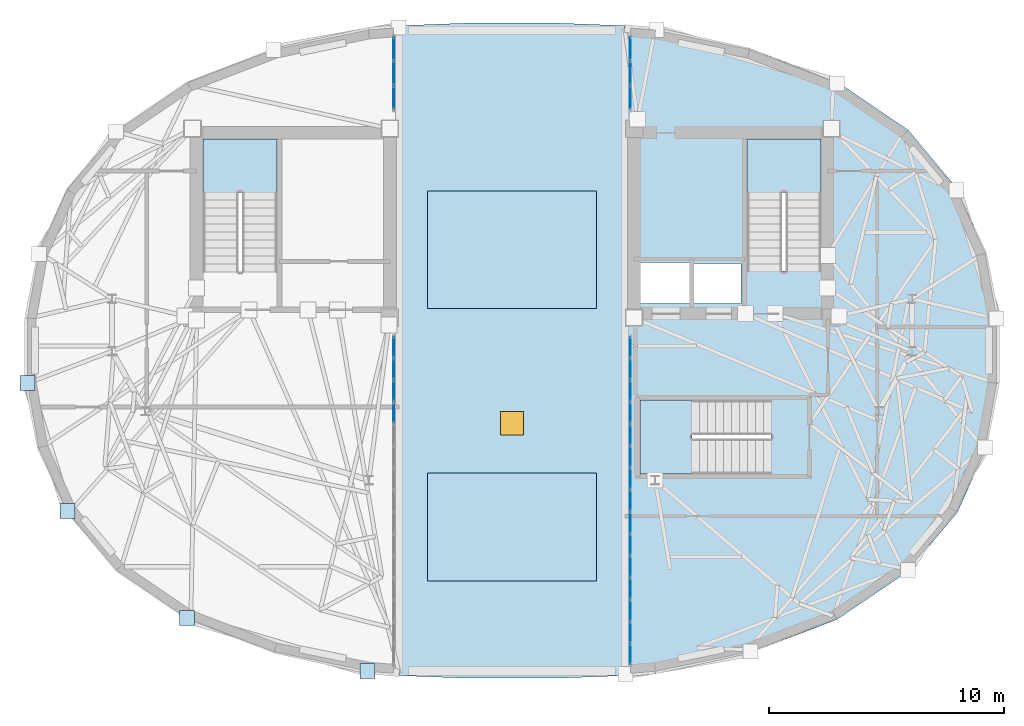
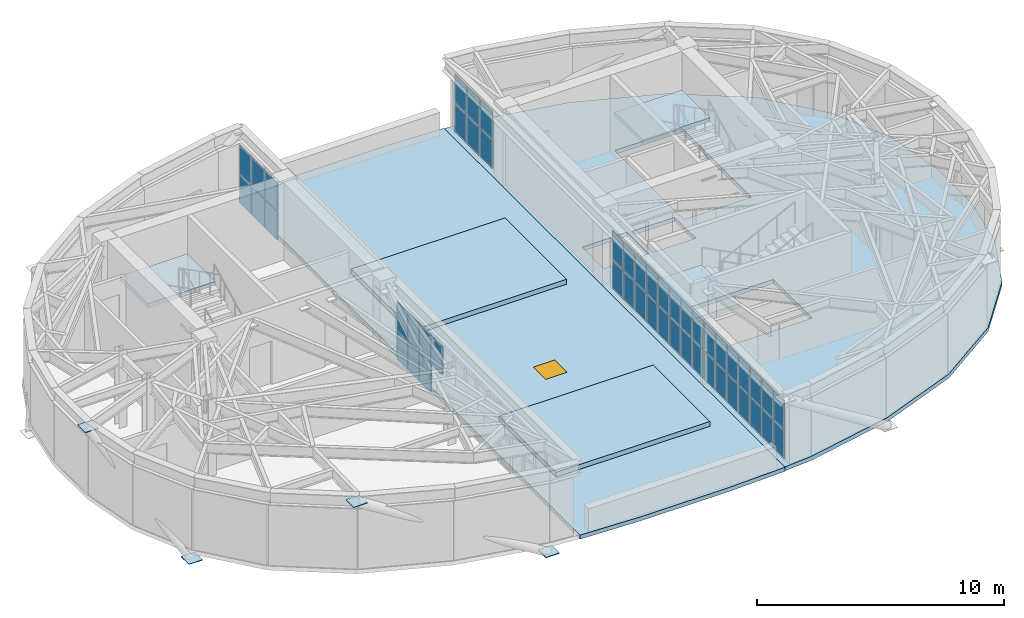
"""IFC4 building model written with IfcOpenShell, lengths in metres."""

from ifc_helpers import new_model, si_unit, direction, frame, origin, origin_2d, place, context, subcontext, project, spatial, polyline, rectangle, outline, extrude, material, layer, layer_set, type_object, element, fill, aggregate, save


model = new_model("IFC4")

# Units and contexts
model_context = context("Model", 3, precision=1e-05, world=origin(), true_north=direction((0.0, 1.0)))
body_context = subcontext(model_context, "Body", "Model", "MODEL_VIEW")
ifc_project = project(units=[si_unit("LENGTHUNIT", "METRE"), si_unit("AREAUNIT", "SQUARE_METRE"), si_unit("VOLUMEUNIT", "CUBIC_METRE"), si_unit("PLANEANGLEUNIT", "RADIAN"), si_unit("MASSUNIT", "GRAM", prefix="KILO")], contexts=[model_context])

# Site, building, storey
site_placement = place(None, origin())
site = spatial("IfcSite", under=ifc_project, at=site_placement, CompositionType="ELEMENT")
building_placement = place(site_placement, origin())
building = spatial("IfcBuilding", under=site, at=building_placement, Name="Keldmark Tower", CompositionType="ELEMENT")
storey_1_placement = place(building_placement, frame((0.0, 0.0, 269.199951171875)))
storey_1 = spatial("IfcBuildingStorey", under=building, at=storey_1_placement, Name="L76", CompositionType="ELEMENT", Elevation=269.199951171875)

# Plates
ifc_material_1 = material(Name="Steel ASTM A572 Grade 50", Category="steel")
ifc_layer_1 = layer(ifc_material_1, 0.030029296875)
ifc_layer_set_1 = layer_set([ifc_layer_1], Name="Steel ASTM A572 Grade 50")
plate_type_1 = type_object("IfcPlateType", Name="Crown Frame End Cap Plate CP01 30 mm", PredefinedType="SHEET", material=ifc_layer_set_1)
for number, where, z_axis, x_axis, name in (
    (1, (-6.154296875, -13.644775390625, -0.46484375), (0.0, 0.0, 1.0), (1.0, 0.0, 0.0), "L76 Crown Frame Node Cap W00-0"),
    (2, (-13.841796875, -11.381591796875, 3.3349609375), (0.0, 0.0, 1.0), (1.0, 0.0, 0.0), "L76 Crown Frame Node Cap W00-1"),
    (3, (-18.927490234375, -6.82763671875, -0.46484375), (0.0, 0.0, 1.0), (1.0, 0.0, 0.0), "L76 Crown Frame Node Cap W04-0"),
    (4, (-20.623291015625, -1.369873046875, 3.3349609375), (0.0, 0.0, 1.0), (1.0, 0.0, 0.0), "L76 Crown Frame Node Cap W04-1"),
):
    element("IfcPlate", number, at=place(storey_1_placement, frame(where, z_axis=z_axis, x_axis=x_axis)), inside=storey_1, type_object=plate_type_1, Name=name, PredefinedType="SHEET", context=body_context, shape_type="SweptSolid", body=[
        extrude(rectangle(XDim=0.639892578125, YDim=0.639892578125, at=origin_2d()), origin(), (0.0, 0.0, 1.0), 0.030029296875),
    ])

# Slab, opening
ifc_material_2 = material(Name="Concrete C35/45", Category="concrete")
ifc_layer_2 = layer(ifc_material_2, 0.199951171875)
ifc_layer_set_2 = layer_set([ifc_layer_2], Name="Concrete C35/45")
slab_type_1 = type_object("IfcSlabType", Name="Crown Structural Roof Cap Slab 200 mm", PredefinedType="ROOF", material=ifc_layer_set_2)
slab_1_placement = place(storey_1_placement, frame((0.0, 0.0, -0.199951171875)))
slab_1 = element("IfcSlab", 5, at=slab_1_placement, inside=storey_1, type_object=slab_type_1, Name="L76 Crown Sky-Slot Structural Roof Cap", PredefinedType="ROOF", context=body_context, shape_type="SweptSolid", body=[
    extrude(outline(polyline([(-2.025146484375, 13.93896484375), (2.025146484375, 13.93896484375), (4.800048828125, 13.831787109375), (4.800048828125, -13.831787109375), (2.025146484375, -13.93896484375), (-2.025146484375, -13.93896484375), (-4.800048828125, -13.831787109375), (-4.800048828125, 13.831787109375), (-2.025146484375, 13.93896484375)])), origin(), (0.0, 0.0, 1.0), 0.199951171875),
])
opening_placement = place(slab_1_placement, frame((0.0, -3.10009765625, 0.0)))
opening = element("IfcOpeningElement", 6, at=opening_placement, cuts=slab_1, Name="Opening RH-01", PredefinedType="OPENING", context=body_context, shape_type="SweptSolid", body=[
    extrude(rectangle(XDim=1.0, YDim=1.0, at=origin_2d()), origin(), (0.0, 0.0, 1.0), 0.199951171875),
])

# Storey
storey_2_placement = place(building_placement, frame((0.0, 0.0, 264.800048828125)))
storey_2 = spatial("IfcBuildingStorey", under=building, at=storey_2_placement, Name="L75", CompositionType="ELEMENT", Elevation=264.800048828125)

# Door
ifc_material_3 = material(Name="Galvanized Insulated Metal", Category="metal")
door_type = type_object("IfcDoorType", Name="Insulated Roof Maintenance Hatch 1000x1000", OperationType="SWING_FIXED_LEFT", PredefinedType="TRAPDOOR", material=ifc_material_3)
door_placement = place(opening_placement, frame((0.0, 0.0, 0.14990234375)))
door = element("IfcDoor", 7, at=door_placement, inside=storey_2, type_object=door_type, Name="L75 Crown Sky-Slot Roof Maintenance Hatch", OperationType="SINGLE_SWING_LEFT", OverallHeight=1.0, OverallWidth=1.0, PredefinedType="TRAPDOOR", context=body_context, shape_type="SweptSolid", body=[
    extrude(rectangle(XDim=1.0, YDim=1.0, at=origin_2d()), origin(), (0.0, 0.0, 1.0), 0.050048828125),
])

fill(opening, door)

# Slabs
ifc_material_4 = material(Name="Concrete C35/45", Category="concrete")
ifc_layer_3 = layer(ifc_material_4, 0.199951171875)
ifc_layer_set_3 = layer_set([ifc_layer_3], Name="Concrete C35/45")
slab_type_2 = type_object("IfcSlabType", Name="Low-Rise Office Composite Slab 200 mm", PredefinedType="FLOOR", material=ifc_layer_set_3)
slab_2_placement = place(storey_1_placement, frame((0.0, 0.0, -0.199951171875)))
element("IfcSlab", 8, at=slab_2_placement, inside=storey_1, type_object=slab_type_2, Name="L76 East Crown Plant Floor Slab", PredefinedType="FLOOR", context=body_context, shape_type="SweptSolid", body=[
    extrude(outline(polyline([(6.12451171875, 13.69677734375), (10.135986328125, 12.864501953125), (13.841064453125, 11.44140625), (16.865478515625, 9.389892578125), (18.962890625, 6.876220703125), (20.189697265625, 4.15478515625), (20.68212890625, 1.3818359375), (20.68212890625, -1.3818359375), (20.189697265625, -4.15478515625), (18.962890625, -6.876220703125), (16.865478515625, -9.389892578125), (13.841064453125, -11.44140625), (10.135986328125, -12.864501953125), (6.12451171875, -13.69677734375), (4.800048828125, -13.804931640625), (4.800048828125, 13.804931640625), (6.12451171875, 13.69677734375)]), holes=[polyline([(13.14990234375, 3.385009765625), (13.14990234375, 9.0), (10.0, 9.0), (10.0, 3.385009765625), (13.14990234375, 3.385009765625)]), polyline([(11.014892578125, -2.10009765625), (5.43994140625, -2.10009765625), (5.43994140625, -5.25), (11.014892578125, -5.25), (11.014892578125, -2.10009765625)]), polyline([(7.75, 2.0), (9.75, 2.0), (9.75, 3.699951171875), (7.75, 3.699951171875), (7.75, 2.0)]), polyline([(5.449951171875, 2.0), (7.550048828125, 2.0), (7.550048828125, 3.75), (5.449951171875, 3.75), (5.449951171875, 2.0)])]), origin(), (0.0, 0.0, 1.0), 0.199951171875),
])
ifc_material_5 = material(Name="Concrete C35/45", Category="concrete")
ifc_layer_4 = layer(ifc_material_5, 0.239990234375)
ifc_layer_set_4 = layer_set([ifc_layer_4], Name="Concrete C35/45")
slab_type_3 = type_object("IfcSlabType", Name="Mechanical Diaphragm Slab 240 mm", PredefinedType="FLOOR", material=ifc_layer_set_4)
slab_3_placement = place(storey_1_placement, origin())
element("IfcSlab", 9, at=slab_3_placement, inside=storey_1, type_object=slab_type_3, Name="L76 Crown Chiller and Dry-Cooler Plant Plinth 1", PredefinedType="FLOOR", context=body_context, shape_type="SweptSolid", body=[
    extrude(outline(polyline([(-3.60009765625, -9.800048828125), (3.60009765625, -9.800048828125), (3.60009765625, -5.199951171875), (-3.60009765625, -5.199951171875), (-3.60009765625, -9.800048828125)])), origin(), (0.0, 0.0, 1.0), 0.239990234375),
])
slab_4_placement = place(storey_1_placement, origin())
element("IfcSlab", 10, at=slab_4_placement, inside=storey_1, type_object=slab_type_3, Name="L76 Crown Chiller and Dry-Cooler Plant Plinth 2", PredefinedType="FLOOR", context=body_context, shape_type="SweptSolid", body=[
    extrude(outline(polyline([(-3.60009765625, 1.800048828125), (3.60009765625, 1.800048828125), (3.60009765625, 6.800048828125), (-3.60009765625, 6.800048828125), (-3.60009765625, 1.800048828125)])), origin(), (0.0, 0.0, 1.0), 0.239990234375),
])

# Stair, slab
ifc_material_6 = material(Name="Concrete C40/50", Category="concrete")
stair_type = type_object("IfcStairType", Name="Precast Concrete Core Exit Stair", PredefinedType="HALF_TURN_STAIR", material=ifc_material_6)
stair_1_placement = place(storey_1_placement, origin())
stair_1 = element("IfcStair", 11, at=stair_1_placement, inside=storey_1, type_object=stair_type, Name="L76 Exit Stair ST1", PredefinedType="HALF_TURN_STAIR")
ifc_material_7 = material(Name="Concrete C40/50", Category="concrete")
ifc_layer_5 = layer(ifc_material_7, 0.199951171875)
ifc_layer_set_5 = layer_set([ifc_layer_5], Name="Concrete C40/50")
slab_type_4 = type_object("IfcSlabType", Name="Reinforced Concrete Stair Landing 200 mm", PredefinedType="LANDING", material=ifc_layer_set_5)
slab_5_placement = place(storey_1_placement, frame((0.0, 0.0, 1.699951171875)))
slab_5 = element("IfcSlab", 12, at=slab_5_placement, type_object=slab_type_4, Name="ST1 landing 1", PredefinedType="LANDING", context=body_context, shape_type="SweptSolid", body=[
    extrude(outline(polyline([(-10.0, 6.72998046875), (-10.0, 9.0), (-13.14990234375, 9.0), (-13.14990234375, 6.72998046875), (-10.0, 6.72998046875)])), origin(), (0.0, 0.0, 1.0), 0.2001953125),
])
aggregate(stair_1, [slab_5])

stair_2_placement = place(storey_1_placement, origin())
stair_2 = element("IfcStair", 13, at=stair_2_placement, inside=storey_1, type_object=stair_type, Name="L76 Exit Stair ST2", PredefinedType="HALF_TURN_STAIR")
slab_6_placement = place(storey_1_placement, frame((0.0, 0.0, 1.699951171875)))
slab_6 = element("IfcSlab", 14, at=slab_6_placement, type_object=slab_type_4, Name="ST2 landing 1", PredefinedType="LANDING", context=body_context, shape_type="SweptSolid", body=[
    extrude(outline(polyline([(13.14990234375, 6.72998046875), (13.14990234375, 9.0), (10.0, 9.0), (10.0, 6.72998046875), (13.14990234375, 6.72998046875)])), origin(), (0.0, 0.0, 1.0), 0.2001953125),
])
aggregate(stair_2, [slab_6])

stair_3_placement = place(storey_1_placement, origin())
stair_3 = element("IfcStair", 15, at=stair_3_placement, inside=storey_1, type_object=stair_type, Name="L76 East Crown Exit Stair ST4", PredefinedType="HALF_TURN_STAIR")
slab_7_placement = place(storey_1_placement, frame((0.0, 0.0, 1.699951171875)))
slab_7 = element("IfcSlab", 16, at=slab_7_placement, type_object=slab_type_4, Name="ST4 landing 1", PredefinedType="LANDING", context=body_context, shape_type="SweptSolid", body=[
    extrude(outline(polyline([(7.669921875, -2.10009765625), (5.43994140625, -2.10009765625), (5.43994140625, -5.25), (7.669921875, -5.25), (7.669921875, -2.10009765625)])), origin(), (0.0, 0.0, 1.0), 0.2001953125),
])
aggregate(stair_3, [slab_7])

# Curtain wall, plates
ifc_material_8 = material(Name="Unitized Thermally Broken Aluminum and Triple Low-E Glazing", Category="aluminium")
ifc_layer_6 = layer(ifc_material_8, 0.219970703125)
ifc_layer_set_6 = layer_set([ifc_layer_6], Name="Unitized Thermally Broken Aluminum and Triple Low-E Glazing")
curtain_wall_type = type_object("IfcCurtainWallType", Name="Split-Top Crown Lantern Curtain Wall System", PredefinedType="NOTDEFINED", material=ifc_layer_set_6)
curtain_wall_1_placement = place(storey_1_placement, origin())
curtain_wall_1 = element("IfcCurtainWall", 17, at=curtain_wall_1_placement, inside=storey_1, type_object=curtain_wall_type, Name="L76 Split-Top Crown Lantern Curtain Wall System CW-L76-ES14-0", PredefinedType="NOTDEFINED")
ifc_material_9 = material(Name="Triple Silver Low-E Insulated Glass Unit", Category="glass")
ifc_layer_7 = layer(ifc_material_9, 0.035888671875)
ifc_layer_set_7 = layer_set([ifc_layer_7], Name="Triple Silver Low-E Insulated Glass Unit")
plate_type_2 = type_object("IfcPlateType", Name="Triple Low-E Vision Glazing Panel 36 mm", PredefinedType="CURTAIN_PANEL", material=ifc_layer_set_7)
plate_1_placement = place(storey_1_placement, frame((5.0400390625, 12.8603515625, 0.06005859375), z_axis=(0.0, 0.0, 1.0), x_axis=(0.0, -1.0, 0.0)))
plate_1 = element("IfcPlate", 18, at=plate_1_placement, type_object=plate_type_2, Name="CW panel 1.1", PredefinedType="CURTAIN_PANEL", context=body_context, shape_type="SweptSolid", body=[
    extrude(rectangle(XDim=0.96875, YDim=0.035888671875, at=origin_2d()), origin(), (0.0, 0.0, 1.0), 1.39306640625),
])
plate_2_placement = place(storey_1_placement, frame((5.0400390625, 12.8603515625, 1.512939453125), z_axis=(0.0, 0.0, 1.0), x_axis=(0.0, -1.0, 0.0)))
plate_2 = element("IfcPlate", 19, at=plate_2_placement, type_object=plate_type_2, Name="CW panel 1.2", PredefinedType="CURTAIN_PANEL", context=body_context, shape_type="SweptSolid", body=[
    extrude(rectangle(XDim=0.96875, YDim=0.035888671875, at=origin_2d()), origin(), (0.0, 0.0, 1.0), 1.39306640625),
])
plate_3_placement = place(storey_1_placement, frame((5.0400390625, 11.816650390625, 0.06005859375), z_axis=(0.0, 0.0, 1.0), x_axis=(0.0, -1.0, 0.0)))
plate_3 = element("IfcPlate", 20, at=plate_3_placement, type_object=plate_type_2, Name="CW panel 2.1", PredefinedType="CURTAIN_PANEL", context=body_context, shape_type="SweptSolid", body=[
    extrude(rectangle(XDim=0.998779296875, YDim=0.035888671875, at=origin_2d()), origin(), (0.0, 0.0, 1.0), 1.39306640625),
])
plate_4_placement = place(storey_1_placement, frame((5.0400390625, 11.816650390625, 1.512939453125), z_axis=(0.0, 0.0, 1.0), x_axis=(0.0, -1.0, 0.0)))
plate_4 = element("IfcPlate", 21, at=plate_4_placement, type_object=plate_type_2, Name="CW panel 2.2", PredefinedType="CURTAIN_PANEL", context=body_context, shape_type="SweptSolid", body=[
    extrude(rectangle(XDim=0.998779296875, YDim=0.035888671875, at=origin_2d()), origin(), (0.0, 0.0, 1.0), 1.39306640625),
])
plate_5_placement = place(storey_1_placement, frame((5.0400390625, 10.77294921875, 0.06005859375), z_axis=(0.0, 0.0, 1.0), x_axis=(0.0, -1.0, 0.0)))
plate_5 = element("IfcPlate", 22, at=plate_5_placement, type_object=plate_type_2, Name="CW panel 3.1", PredefinedType="CURTAIN_PANEL", context=body_context, shape_type="SweptSolid", body=[
    extrude(rectangle(XDim=0.96875, YDim=0.035888671875, at=origin_2d()), origin(), (0.0, 0.0, 1.0), 1.39306640625),
])
plate_6_placement = place(storey_1_placement, frame((5.0400390625, 10.77294921875, 1.512939453125), z_axis=(0.0, 0.0, 1.0), x_axis=(0.0, -1.0, 0.0)))
plate_6 = element("IfcPlate", 23, at=plate_6_placement, type_object=plate_type_2, Name="CW panel 3.2", PredefinedType="CURTAIN_PANEL", context=body_context, shape_type="SweptSolid", body=[
    extrude(rectangle(XDim=0.96875, YDim=0.035888671875, at=origin_2d()), origin(), (0.0, 0.0, 1.0), 1.39306640625),
])
aggregate(curtain_wall_1, [plate_1, plate_2, plate_3, plate_4, plate_5, plate_6])

curtain_wall_2_placement = place(storey_1_placement, origin())
curtain_wall_2 = element("IfcCurtainWall", 24, at=curtain_wall_2_placement, inside=storey_1, type_object=curtain_wall_type, Name="L76 Split-Top Crown Lantern Curtain Wall System CW-L76-ES14-1", PredefinedType="NOTDEFINED")
plate_7_placement = place(storey_1_placement, frame((5.0400390625, 0.138916015625, 0.06005859375), z_axis=(0.0, 0.0, 1.0), x_axis=(0.0, -1.0, 0.0)))
plate_7 = element("IfcPlate", 25, at=plate_7_placement, type_object=plate_type_2, Name="CW panel 1.1", PredefinedType="CURTAIN_PANEL", context=body_context, shape_type="SweptSolid", body=[
    extrude(rectangle(XDim=0.844970703125, YDim=0.035888671875, at=origin_2d()), origin(), (0.0, 0.0, 1.0), 1.39306640625),
])
plate_8_placement = place(storey_1_placement, frame((5.0400390625, 0.138916015625, 1.512939453125), z_axis=(0.0, 0.0, 1.0), x_axis=(0.0, -1.0, 0.0)))
plate_8 = element("IfcPlate", 26, at=plate_8_placement, type_object=plate_type_2, Name="CW panel 1.2", PredefinedType="CURTAIN_PANEL", context=body_context, shape_type="SweptSolid", body=[
    extrude(rectangle(XDim=0.844970703125, YDim=0.035888671875, at=origin_2d()), origin(), (0.0, 0.0, 1.0), 1.39306640625),
])
plate_9_placement = place(storey_1_placement, frame((5.0400390625, -0.781005859375, 0.06005859375), z_axis=(0.0, 0.0, 1.0), x_axis=(0.0, -1.0, 0.0)))
plate_9 = element("IfcPlate", 27, at=plate_9_placement, type_object=plate_type_2, Name="CW panel 2.1", PredefinedType="CURTAIN_PANEL", context=body_context, shape_type="SweptSolid", body=[
    extrude(rectangle(XDim=0.875, YDim=0.035888671875, at=origin_2d()), origin(), (0.0, 0.0, 1.0), 1.39306640625),
])
plate_10_placement = place(storey_1_placement, frame((5.0400390625, -0.781005859375, 1.512939453125), z_axis=(0.0, 0.0, 1.0), x_axis=(0.0, -1.0, 0.0)))
plate_10 = element("IfcPlate", 28, at=plate_10_placement, type_object=plate_type_2, Name="CW panel 2.2", PredefinedType="CURTAIN_PANEL", context=body_context, shape_type="SweptSolid", body=[
    extrude(rectangle(XDim=0.875, YDim=0.035888671875, at=origin_2d()), origin(), (0.0, 0.0, 1.0), 1.39306640625),
])
plate_11_placement = place(storey_1_placement, frame((5.0400390625, -1.716064453125, 0.06005859375), z_axis=(0.0, 0.0, 1.0), x_axis=(0.0, -1.0, 0.0)))
plate_11 = element("IfcPlate", 29, at=plate_11_placement, type_object=plate_type_2, Name="CW panel 3.1", PredefinedType="CURTAIN_PANEL", context=body_context, shape_type="SweptSolid", body=[
    extrude(rectangle(XDim=0.875, YDim=0.035888671875, at=origin_2d()), origin(), (0.0, 0.0, 1.0), 1.39306640625),
])
plate_12_placement = place(storey_1_placement, frame((5.0400390625, -1.716064453125, 1.512939453125), z_axis=(0.0, 0.0, 1.0), x_axis=(0.0, -1.0, 0.0)))
plate_12 = element("IfcPlate", 30, at=plate_12_placement, type_object=plate_type_2, Name="CW panel 3.2", PredefinedType="CURTAIN_PANEL", context=body_context, shape_type="SweptSolid", body=[
    extrude(rectangle(XDim=0.875, YDim=0.035888671875, at=origin_2d()), origin(), (0.0, 0.0, 1.0), 1.39306640625),
])
plate_13_placement = place(storey_1_placement, frame((5.0400390625, -2.6513671875, 0.06005859375), z_axis=(0.0, 0.0, 1.0), x_axis=(0.0, -1.0, 0.0)))
plate_13 = element("IfcPlate", 31, at=plate_13_placement, type_object=plate_type_2, Name="CW panel 4.1", PredefinedType="CURTAIN_PANEL", context=body_context, shape_type="SweptSolid", body=[
    extrude(rectangle(XDim=0.875, YDim=0.035888671875, at=origin_2d()), origin(), (0.0, 0.0, 1.0), 1.39306640625),
])
plate_14_placement = place(storey_1_placement, frame((5.0400390625, -2.6513671875, 1.512939453125), z_axis=(0.0, 0.0, 1.0), x_axis=(0.0, -1.0, 0.0)))
plate_14 = element("IfcPlate", 32, at=plate_14_placement, type_object=plate_type_2, Name="CW panel 4.2", PredefinedType="CURTAIN_PANEL", context=body_context, shape_type="SweptSolid", body=[
    extrude(rectangle(XDim=0.875, YDim=0.035888671875, at=origin_2d()), origin(), (0.0, 0.0, 1.0), 1.39306640625),
])
plate_15_placement = place(storey_1_placement, frame((5.0400390625, -3.58642578125, 0.06005859375), z_axis=(0.0, 0.0, 1.0), x_axis=(0.0, -1.0, 0.0)))
plate_15 = element("IfcPlate", 33, at=plate_15_placement, type_object=plate_type_2, Name="CW panel 5.1", PredefinedType="CURTAIN_PANEL", context=body_context, shape_type="SweptSolid", body=[
    extrude(rectangle(XDim=0.875, YDim=0.035888671875, at=origin_2d()), origin(), (0.0, 0.0, 1.0), 1.39306640625),
])
plate_16_placement = place(storey_1_placement, frame((5.0400390625, -3.58642578125, 1.512939453125), z_axis=(0.0, 0.0, 1.0), x_axis=(0.0, -1.0, 0.0)))
plate_16 = element("IfcPlate", 34, at=plate_16_placement, type_object=plate_type_2, Name="CW panel 5.2", PredefinedType="CURTAIN_PANEL", context=body_context, shape_type="SweptSolid", body=[
    extrude(rectangle(XDim=0.875, YDim=0.035888671875, at=origin_2d()), origin(), (0.0, 0.0, 1.0), 1.39306640625),
])
plate_17_placement = place(storey_1_placement, frame((5.0400390625, -4.521484375, 0.06005859375), z_axis=(0.0, 0.0, 1.0), x_axis=(0.0, -1.0, 0.0)))
plate_17 = element("IfcPlate", 35, at=plate_17_placement, type_object=plate_type_2, Name="CW panel 6.1", PredefinedType="CURTAIN_PANEL", context=body_context, shape_type="SweptSolid", body=[
    extrude(rectangle(XDim=0.875, YDim=0.035888671875, at=origin_2d()), origin(), (0.0, 0.0, 1.0), 1.39306640625),
])
plate_18_placement = place(storey_1_placement, frame((5.0400390625, -4.521484375, 1.512939453125), z_axis=(0.0, 0.0, 1.0), x_axis=(0.0, -1.0, 0.0)))
plate_18 = element("IfcPlate", 36, at=plate_18_placement, type_object=plate_type_2, Name="CW panel 6.2", PredefinedType="CURTAIN_PANEL", context=body_context, shape_type="SweptSolid", body=[
    extrude(rectangle(XDim=0.875, YDim=0.035888671875, at=origin_2d()), origin(), (0.0, 0.0, 1.0), 1.39306640625),
])
plate_19_placement = place(storey_1_placement, frame((5.0400390625, -5.45654296875, 0.06005859375), z_axis=(0.0, 0.0, 1.0), x_axis=(0.0, -1.0, 0.0)))
plate_19 = element("IfcPlate", 37, at=plate_19_placement, type_object=plate_type_2, Name="CW panel 7.1", PredefinedType="CURTAIN_PANEL", context=body_context, shape_type="SweptSolid", body=[
    extrude(rectangle(XDim=0.875, YDim=0.035888671875, at=origin_2d()), origin(), (0.0, 0.0, 1.0), 1.39306640625),
])
plate_20_placement = place(storey_1_placement, frame((5.0400390625, -5.45654296875, 1.512939453125), z_axis=(0.0, 0.0, 1.0), x_axis=(0.0, -1.0, 0.0)))
plate_20 = element("IfcPlate", 38, at=plate_20_placement, type_object=plate_type_2, Name="CW panel 7.2", PredefinedType="CURTAIN_PANEL", context=body_context, shape_type="SweptSolid", body=[
    extrude(rectangle(XDim=0.875, YDim=0.035888671875, at=origin_2d()), origin(), (0.0, 0.0, 1.0), 1.39306640625),
])
plate_21_placement = place(storey_1_placement, frame((5.0400390625, -6.3916015625, 0.06005859375), z_axis=(0.0, 0.0, 1.0), x_axis=(0.0, -1.0, 0.0)))
plate_21 = element("IfcPlate", 39, at=plate_21_placement, type_object=plate_type_2, Name="CW panel 8.1", PredefinedType="CURTAIN_PANEL", context=body_context, shape_type="SweptSolid", body=[
    extrude(rectangle(XDim=0.875, YDim=0.035888671875, at=origin_2d()), origin(), (0.0, 0.0, 1.0), 1.39306640625),
])
plate_22_placement = place(storey_1_placement, frame((5.0400390625, -6.3916015625, 1.512939453125), z_axis=(0.0, 0.0, 1.0), x_axis=(0.0, -1.0, 0.0)))
plate_22 = element("IfcPlate", 40, at=plate_22_placement, type_object=plate_type_2, Name="CW panel 8.2", PredefinedType="CURTAIN_PANEL", context=body_context, shape_type="SweptSolid", body=[
    extrude(rectangle(XDim=0.875, YDim=0.035888671875, at=origin_2d()), origin(), (0.0, 0.0, 1.0), 1.39306640625),
])
plate_23_placement = place(storey_1_placement, frame((5.0400390625, -7.32666015625, 0.06005859375), z_axis=(0.0, 0.0, 1.0), x_axis=(0.0, -1.0, 0.0)))
plate_23 = element("IfcPlate", 41, at=plate_23_placement, type_object=plate_type_2, Name="CW panel 9.1", PredefinedType="CURTAIN_PANEL", context=body_context, shape_type="SweptSolid", body=[
    extrude(rectangle(XDim=0.875, YDim=0.035888671875, at=origin_2d()), origin(), (0.0, 0.0, 1.0), 1.39306640625),
])
plate_24_placement = place(storey_1_placement, frame((5.0400390625, -7.32666015625, 1.512939453125), z_axis=(0.0, 0.0, 1.0), x_axis=(0.0, -1.0, 0.0)))
plate_24 = element("IfcPlate", 42, at=plate_24_placement, type_object=plate_type_2, Name="CW panel 9.2", PredefinedType="CURTAIN_PANEL", context=body_context, shape_type="SweptSolid", body=[
    extrude(rectangle(XDim=0.875, YDim=0.035888671875, at=origin_2d()), origin(), (0.0, 0.0, 1.0), 1.39306640625),
])
plate_25_placement = place(storey_1_placement, frame((5.0400390625, -8.26171875, 0.06005859375), z_axis=(0.0, 0.0, 1.0), x_axis=(0.0, -1.0, 0.0)))
plate_25 = element("IfcPlate", 43, at=plate_25_placement, type_object=plate_type_2, Name="CW panel 10.1", PredefinedType="CURTAIN_PANEL", context=body_context, shape_type="SweptSolid", body=[
    extrude(rectangle(XDim=0.875, YDim=0.035888671875, at=origin_2d()), origin(), (0.0, 0.0, 1.0), 1.39306640625),
])
plate_26_placement = place(storey_1_placement, frame((5.0400390625, -8.26171875, 1.512939453125), z_axis=(0.0, 0.0, 1.0), x_axis=(0.0, -1.0, 0.0)))
plate_26 = element("IfcPlate", 44, at=plate_26_placement, type_object=plate_type_2, Name="CW panel 10.2", PredefinedType="CURTAIN_PANEL", context=body_context, shape_type="SweptSolid", body=[
    extrude(rectangle(XDim=0.875, YDim=0.035888671875, at=origin_2d()), origin(), (0.0, 0.0, 1.0), 1.39306640625),
])
plate_27_placement = place(storey_1_placement, frame((5.0400390625, -9.19677734375, 0.06005859375), z_axis=(0.0, 0.0, 1.0), x_axis=(0.0, -1.0, 0.0)))
plate_27 = element("IfcPlate", 45, at=plate_27_placement, type_object=plate_type_2, Name="CW panel 11.1", PredefinedType="CURTAIN_PANEL", context=body_context, shape_type="SweptSolid", body=[
    extrude(rectangle(XDim=0.875, YDim=0.035888671875, at=origin_2d()), origin(), (0.0, 0.0, 1.0), 1.39306640625),
])
plate_28_placement = place(storey_1_placement, frame((5.0400390625, -9.19677734375, 1.512939453125), z_axis=(0.0, 0.0, 1.0), x_axis=(0.0, -1.0, 0.0)))
plate_28 = element("IfcPlate", 46, at=plate_28_placement, type_object=plate_type_2, Name="CW panel 11.2", PredefinedType="CURTAIN_PANEL", context=body_context, shape_type="SweptSolid", body=[
    extrude(rectangle(XDim=0.875, YDim=0.035888671875, at=origin_2d()), origin(), (0.0, 0.0, 1.0), 1.39306640625),
])
plate_29_placement = place(storey_1_placement, frame((5.0400390625, -10.1318359375, 0.06005859375), z_axis=(0.0, 0.0, 1.0), x_axis=(0.0, -1.0, 0.0)))
plate_29 = element("IfcPlate", 47, at=plate_29_placement, type_object=plate_type_2, Name="CW panel 12.1", PredefinedType="CURTAIN_PANEL", context=body_context, shape_type="SweptSolid", body=[
    extrude(rectangle(XDim=0.875, YDim=0.035888671875, at=origin_2d()), origin(), (0.0, 0.0, 1.0), 1.39306640625),
])
plate_30_placement = place(storey_1_placement, frame((5.0400390625, -10.1318359375, 1.512939453125), z_axis=(0.0, 0.0, 1.0), x_axis=(0.0, -1.0, 0.0)))
plate_30 = element("IfcPlate", 48, at=plate_30_placement, type_object=plate_type_2, Name="CW panel 12.2", PredefinedType="CURTAIN_PANEL", context=body_context, shape_type="SweptSolid", body=[
    extrude(rectangle(XDim=0.875, YDim=0.035888671875, at=origin_2d()), origin(), (0.0, 0.0, 1.0), 1.39306640625),
])
plate_31_placement = place(storey_1_placement, frame((5.0400390625, -11.06689453125, 0.06005859375), z_axis=(0.0, 0.0, 1.0), x_axis=(0.0, -1.0, 0.0)))
plate_31 = element("IfcPlate", 49, at=plate_31_placement, type_object=plate_type_2, Name="CW panel 13.1", PredefinedType="CURTAIN_PANEL", context=body_context, shape_type="SweptSolid", body=[
    extrude(rectangle(XDim=0.875, YDim=0.035888671875, at=origin_2d()), origin(), (0.0, 0.0, 1.0), 1.39306640625),
])
plate_32_placement = place(storey_1_placement, frame((5.0400390625, -11.06689453125, 1.512939453125), z_axis=(0.0, 0.0, 1.0), x_axis=(0.0, -1.0, 0.0)))
plate_32 = element("IfcPlate", 50, at=plate_32_placement, type_object=plate_type_2, Name="CW panel 13.2", PredefinedType="CURTAIN_PANEL", context=body_context, shape_type="SweptSolid", body=[
    extrude(rectangle(XDim=0.875, YDim=0.035888671875, at=origin_2d()), origin(), (0.0, 0.0, 1.0), 1.39306640625),
])
plate_33_placement = place(storey_1_placement, frame((5.0400390625, -12.001953125, 0.06005859375), z_axis=(0.0, 0.0, 1.0), x_axis=(0.0, -1.0, 0.0)))
plate_33 = element("IfcPlate", 51, at=plate_33_placement, type_object=plate_type_2, Name="CW panel 14.1", PredefinedType="CURTAIN_PANEL", context=body_context, shape_type="SweptSolid", body=[
    extrude(rectangle(XDim=0.875, YDim=0.035888671875, at=origin_2d()), origin(), (0.0, 0.0, 1.0), 1.39306640625),
])
plate_34_placement = place(storey_1_placement, frame((5.0400390625, -12.001953125, 1.512939453125), z_axis=(0.0, 0.0, 1.0), x_axis=(0.0, -1.0, 0.0)))
plate_34 = element("IfcPlate", 52, at=plate_34_placement, type_object=plate_type_2, Name="CW panel 14.2", PredefinedType="CURTAIN_PANEL", context=body_context, shape_type="SweptSolid", body=[
    extrude(rectangle(XDim=0.875, YDim=0.035888671875, at=origin_2d()), origin(), (0.0, 0.0, 1.0), 1.39306640625),
])
plate_35_placement = place(storey_1_placement, frame((5.0400390625, -12.922119140625, 0.06005859375), z_axis=(0.0, 0.0, 1.0), x_axis=(0.0, -1.0, 0.0)))
plate_35 = element("IfcPlate", 53, at=plate_35_placement, type_object=plate_type_2, Name="CW panel 15.1", PredefinedType="CURTAIN_PANEL", context=body_context, shape_type="SweptSolid", body=[
    extrude(rectangle(XDim=0.844970703125, YDim=0.035888671875, at=origin_2d()), origin(), (0.0, 0.0, 1.0), 1.39306640625),
])
plate_36_placement = place(storey_1_placement, frame((5.0400390625, -12.922119140625, 1.512939453125), z_axis=(0.0, 0.0, 1.0), x_axis=(0.0, -1.0, 0.0)))
plate_36 = element("IfcPlate", 54, at=plate_36_placement, type_object=plate_type_2, Name="CW panel 15.2", PredefinedType="CURTAIN_PANEL", context=body_context, shape_type="SweptSolid", body=[
    extrude(rectangle(XDim=0.844970703125, YDim=0.035888671875, at=origin_2d()), origin(), (0.0, 0.0, 1.0), 1.39306640625),
])
aggregate(curtain_wall_2, [plate_7, plate_8, plate_9, plate_10, plate_11, plate_12, plate_13, plate_14, plate_15, plate_16, plate_17, plate_18, plate_19, plate_20, plate_21, plate_22, plate_23, plate_24, plate_25, plate_26, plate_27, plate_28, plate_29, plate_30, plate_31, plate_32, plate_33, plate_34, plate_35, plate_36])

curtain_wall_3_placement = place(storey_1_placement, origin())
curtain_wall_3 = element("IfcCurtainWall", 55, at=curtain_wall_3_placement, inside=storey_1, type_object=curtain_wall_type, Name="L76 Split-Top Crown Lantern Curtain Wall System CW-L76-WS14-0", PredefinedType="NOTDEFINED")
plate_37_placement = place(storey_1_placement, frame((-5.0400390625, -2.6513671875, 1.512939453125), z_axis=(0.0, 0.0, 1.0), x_axis=(0.0, 1.0, 0.0)))
plate_37 = element("IfcPlate", 56, at=plate_37_placement, type_object=plate_type_2, Name="CW panel 12.2", PredefinedType="CURTAIN_PANEL", context=body_context, shape_type="SweptSolid", body=[
    extrude(rectangle(XDim=0.875, YDim=0.035888671875, at=origin_2d()), origin(), (0.0, 0.0, 1.0), 1.39306640625),
])
plate_38_placement = place(storey_1_placement, frame((-5.0400390625, -1.716064453125, 0.06005859375), z_axis=(0.0, 0.0, 1.0), x_axis=(0.0, 1.0, 0.0)))
plate_38 = element("IfcPlate", 57, at=plate_38_placement, type_object=plate_type_2, Name="CW panel 13.1", PredefinedType="CURTAIN_PANEL", context=body_context, shape_type="SweptSolid", body=[
    extrude(rectangle(XDim=0.875, YDim=0.035888671875, at=origin_2d()), origin(), (0.0, 0.0, 1.0), 1.39306640625),
])
plate_39_placement = place(storey_1_placement, frame((-5.0400390625, -1.716064453125, 1.512939453125), z_axis=(0.0, 0.0, 1.0), x_axis=(0.0, 1.0, 0.0)))
plate_39 = element("IfcPlate", 58, at=plate_39_placement, type_object=plate_type_2, Name="CW panel 13.2", PredefinedType="CURTAIN_PANEL", context=body_context, shape_type="SweptSolid", body=[
    extrude(rectangle(XDim=0.875, YDim=0.035888671875, at=origin_2d()), origin(), (0.0, 0.0, 1.0), 1.39306640625),
])
plate_40_placement = place(storey_1_placement, frame((-5.0400390625, -0.781005859375, 0.06005859375), z_axis=(0.0, 0.0, 1.0), x_axis=(0.0, 1.0, 0.0)))
plate_40 = element("IfcPlate", 59, at=plate_40_placement, type_object=plate_type_2, Name="CW panel 14.1", PredefinedType="CURTAIN_PANEL", context=body_context, shape_type="SweptSolid", body=[
    extrude(rectangle(XDim=0.875, YDim=0.035888671875, at=origin_2d()), origin(), (0.0, 0.0, 1.0), 1.39306640625),
])
plate_41_placement = place(storey_1_placement, frame((-5.0400390625, -0.781005859375, 1.512939453125), z_axis=(0.0, 0.0, 1.0), x_axis=(0.0, 1.0, 0.0)))
plate_41 = element("IfcPlate", 60, at=plate_41_placement, type_object=plate_type_2, Name="CW panel 14.2", PredefinedType="CURTAIN_PANEL", context=body_context, shape_type="SweptSolid", body=[
    extrude(rectangle(XDim=0.875, YDim=0.035888671875, at=origin_2d()), origin(), (0.0, 0.0, 1.0), 1.39306640625),
])
plate_42_placement = place(storey_1_placement, frame((-5.0400390625, 0.138916015625, 0.06005859375), z_axis=(0.0, 0.0, 1.0), x_axis=(0.0, 1.0, 0.0)))
plate_42 = element("IfcPlate", 61, at=plate_42_placement, type_object=plate_type_2, Name="CW panel 15.1", PredefinedType="CURTAIN_PANEL", context=body_context, shape_type="SweptSolid", body=[
    extrude(rectangle(XDim=0.844970703125, YDim=0.035888671875, at=origin_2d()), origin(), (0.0, 0.0, 1.0), 1.39306640625),
])
plate_43_placement = place(storey_1_placement, frame((-5.0400390625, 0.138916015625, 1.512939453125), z_axis=(0.0, 0.0, 1.0), x_axis=(0.0, 1.0, 0.0)))
plate_43 = element("IfcPlate", 62, at=plate_43_placement, type_object=plate_type_2, Name="CW panel 15.2", PredefinedType="CURTAIN_PANEL", context=body_context, shape_type="SweptSolid", body=[
    extrude(rectangle(XDim=0.844970703125, YDim=0.035888671875, at=origin_2d()), origin(), (0.0, 0.0, 1.0), 1.39306640625),
])
aggregate(curtain_wall_3, [plate_37, plate_38, plate_39, plate_40, plate_41, plate_42, plate_43])

curtain_wall_4_placement = place(storey_1_placement, origin())
curtain_wall_4 = element("IfcCurtainWall", 63, at=curtain_wall_4_placement, inside=storey_1, type_object=curtain_wall_type, Name="L76 Split-Top Crown Lantern Curtain Wall System CW-L76-WS14-1", PredefinedType="NOTDEFINED")
plate_44_placement = place(storey_1_placement, frame((-5.0400390625, 10.77294921875, 0.06005859375), z_axis=(0.0, 0.0, 1.0), x_axis=(0.0, 1.0, 0.0)))
plate_44 = element("IfcPlate", 64, at=plate_44_placement, type_object=plate_type_2, Name="CW panel 1.1", PredefinedType="CURTAIN_PANEL", context=body_context, shape_type="SweptSolid", body=[
    extrude(rectangle(XDim=0.96875, YDim=0.035888671875, at=origin_2d()), origin(), (0.0, 0.0, 1.0), 1.39306640625),
])
plate_45_placement = place(storey_1_placement, frame((-5.0400390625, 10.77294921875, 1.512939453125), z_axis=(0.0, 0.0, 1.0), x_axis=(0.0, 1.0, 0.0)))
plate_45 = element("IfcPlate", 65, at=plate_45_placement, type_object=plate_type_2, Name="CW panel 1.2", PredefinedType="CURTAIN_PANEL", context=body_context, shape_type="SweptSolid", body=[
    extrude(rectangle(XDim=0.96875, YDim=0.035888671875, at=origin_2d()), origin(), (0.0, 0.0, 1.0), 1.39306640625),
])
plate_46_placement = place(storey_1_placement, frame((-5.0400390625, 11.816650390625, 0.06005859375), z_axis=(0.0, 0.0, 1.0), x_axis=(0.0, 1.0, 0.0)))
plate_46 = element("IfcPlate", 66, at=plate_46_placement, type_object=plate_type_2, Name="CW panel 2.1", PredefinedType="CURTAIN_PANEL", context=body_context, shape_type="SweptSolid", body=[
    extrude(rectangle(XDim=0.998779296875, YDim=0.035888671875, at=origin_2d()), origin(), (0.0, 0.0, 1.0), 1.39306640625),
])
plate_47_placement = place(storey_1_placement, frame((-5.0400390625, 11.816650390625, 1.512939453125), z_axis=(0.0, 0.0, 1.0), x_axis=(0.0, 1.0, 0.0)))
plate_47 = element("IfcPlate", 67, at=plate_47_placement, type_object=plate_type_2, Name="CW panel 2.2", PredefinedType="CURTAIN_PANEL", context=body_context, shape_type="SweptSolid", body=[
    extrude(rectangle(XDim=0.998779296875, YDim=0.035888671875, at=origin_2d()), origin(), (0.0, 0.0, 1.0), 1.39306640625),
])
plate_48_placement = place(storey_1_placement, frame((-5.0400390625, 12.8603515625, 0.06005859375), z_axis=(0.0, 0.0, 1.0), x_axis=(0.0, 1.0, 0.0)))
plate_48 = element("IfcPlate", 68, at=plate_48_placement, type_object=plate_type_2, Name="CW panel 3.1", PredefinedType="CURTAIN_PANEL", context=body_context, shape_type="SweptSolid", body=[
    extrude(rectangle(XDim=0.96875, YDim=0.035888671875, at=origin_2d()), origin(), (0.0, 0.0, 1.0), 1.39306640625),
])
plate_49_placement = place(storey_1_placement, frame((-5.0400390625, 12.8603515625, 1.512939453125), z_axis=(0.0, 0.0, 1.0), x_axis=(0.0, 1.0, 0.0)))
plate_49 = element("IfcPlate", 69, at=plate_49_placement, type_object=plate_type_2, Name="CW panel 3.2", PredefinedType="CURTAIN_PANEL", context=body_context, shape_type="SweptSolid", body=[
    extrude(rectangle(XDim=0.96875, YDim=0.035888671875, at=origin_2d()), origin(), (0.0, 0.0, 1.0), 1.39306640625),
])
aggregate(curtain_wall_4, [plate_44, plate_45, plate_46, plate_47, plate_48, plate_49])

save(model, "model.ifc")
